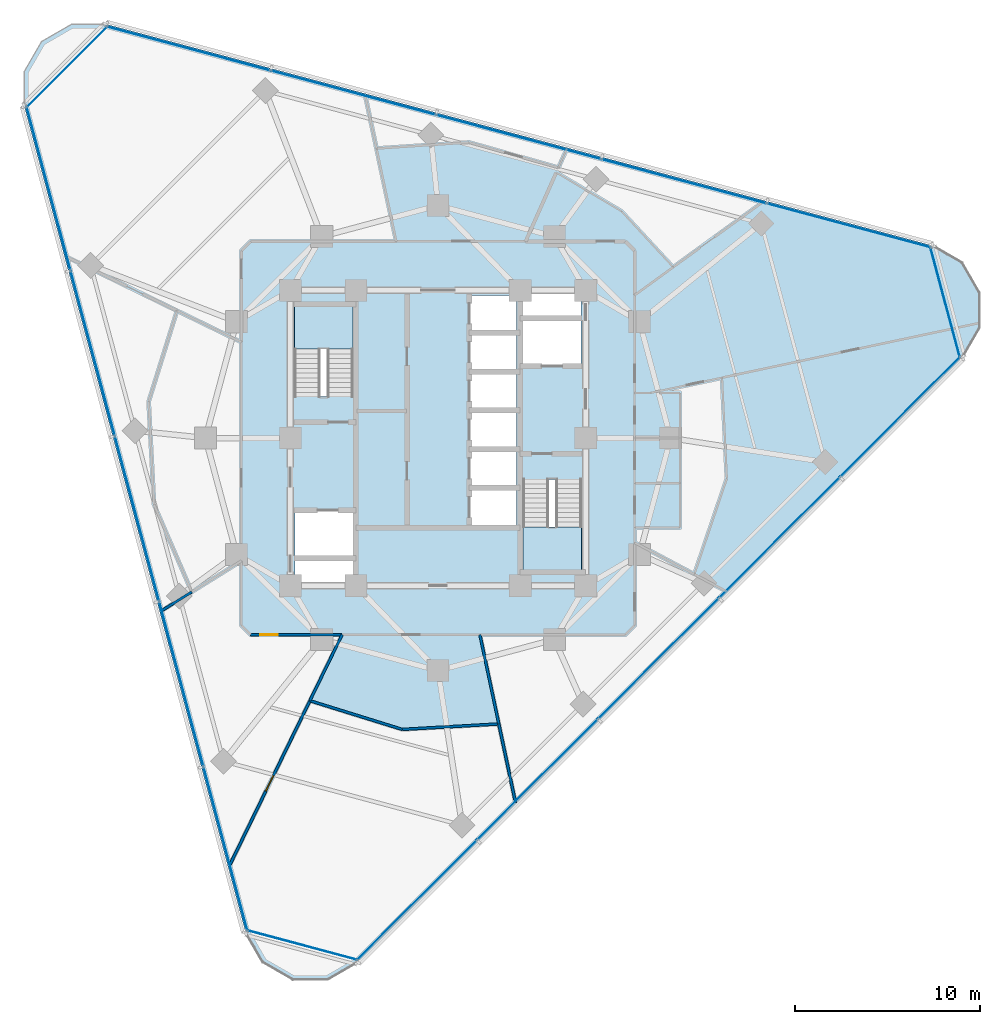
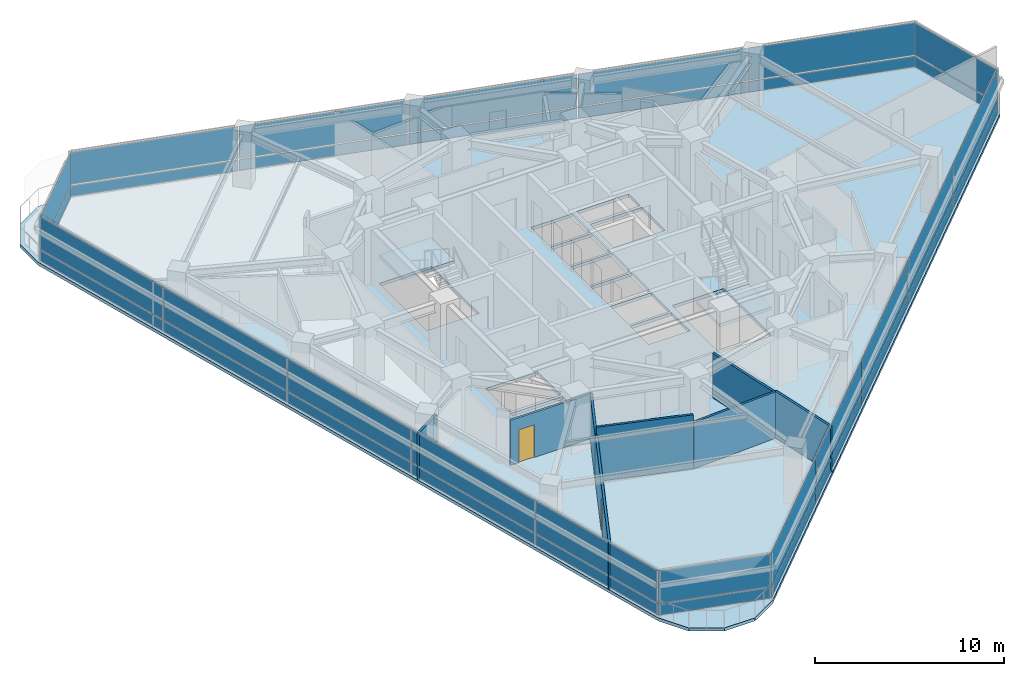
# One storey, part 6 of 14: 36 plates, 8 walls, 3 slabs, 2 doors, 2 openings, 8 elements without a shape of their own.
"""IFC4 building model written with IfcOpenShell, lengths in metres."""

from ifc_helpers import new_model, si_unit, direction, frame, frame_2d, origin, origin_2d, place, context, subcontext, project, spatial, polyline, rectangle, outline, extrude, material, layer, layer_set, type_object, element, fill, aggregate, save


model = new_model("IFC4")

# Units and contexts
model_context = context("Model", 3, precision=1e-05, world=origin(), true_north=direction((0.0, 1.0)))
body_context = subcontext(model_context, "Body", "Model", "MODEL_VIEW")
ifc_project = project(units=[si_unit("LENGTHUNIT", "METRE"), si_unit("AREAUNIT", "SQUARE_METRE"), si_unit("VOLUMEUNIT", "CUBIC_METRE"), si_unit("PLANEANGLEUNIT", "RADIAN"), si_unit("MASSUNIT", "GRAM", prefix="KILO")], contexts=[model_context])

# Site, building, storey
site_placement = place(None, origin())
site = spatial("IfcSite", under=ifc_project, at=site_placement, CompositionType="ELEMENT")
building_placement = place(site_placement, origin())
building = spatial("IfcBuilding", under=site, at=building_placement, Name="Terralouvre Media Tower", CompositionType="ELEMENT")
storey_placement = place(building_placement, frame((0.0, 0.0, 184.199951171875)))
storey = spatial("IfcBuildingStorey", under=building, at=storey_placement, Name="L47", CompositionType="ELEMENT", Elevation=184.199951171875)

# Slab
ifc_material_1 = material(Name="Concrete C40/50", Category="concrete")
ifc_layer_1 = layer(ifc_material_1, 0.199951171875, Name="Composite Tower Floor Slab S-TYP200")
ifc_layer_set_1 = layer_set([ifc_layer_1], Name="Concrete C40/50")
slab_type_1 = type_object("IfcSlabType", Name="Composite Tower Floor Slab S-TYP200", PredefinedType="FLOOR", material=ifc_layer_set_1)
slab_1_placement = place(storey_placement, frame((0.0, 0.0, -0.199951171875), z_axis=(0.0, 0.0, 1.0), x_axis=(0.707106781187, 0.707106781187, 0.0)))
element("IfcSlab", 1, at=slab_1_placement, inside=storey, type_object=slab_type_1, Name="L47 Structural Floor Slab", PredefinedType="FLOOR", context=body_context, shape_type="SweptSolid", body=[
    extrude(outline(polyline([(-26.31494140625, -11.572998046875), (-26.800048828125, -13.383056640625), (-26.31494140625, -15.19287109375), (-24.989990234375, -16.51806640625), (-23.179931640625, -17.0029296875), (23.179931640625, -17.0029296875), (24.989990234375, -16.51806640625), (26.31494140625, -15.19287109375), (26.800048828125, -13.383056640625), (26.31494140625, -11.572998046875), (3.135009765625, 28.575927734375), (1.81005859375, 29.90087890625), (0.0, 30.385986328125), (-1.81005859375, 29.90087890625), (-3.135009765625, 28.575927734375), (-26.31494140625, -11.572998046875)]), holes=[polyline([(-7.919677734375, -1.414306640625), (-8.76806640625, -2.2626953125), (-10.99560546875, -0.035400390625), (-10.14697265625, 0.813232421875), (-7.919677734375, -1.414306640625)]), polyline([(-7.778076171875, -1.272705078125), (-10.005615234375, 0.95458984375), (-8.273193359375, 2.68701171875), (-6.045654296875, 0.459716796875), (-7.778076171875, -1.272705078125)]), polyline([(4.122314453125, -1.887939453125), (2.354736328125, -0.1201171875), (3.7265625, 1.25146484375), (5.494140625, -0.51611328125), (4.122314453125, -1.887939453125)]), polyline([(6.979248046875, 0.96875), (5.607421875, -0.403076171875), (3.839599609375, 1.36474609375), (5.21142578125, 2.736572265625), (6.979248046875, 0.96875)]), polyline([(-1.665283203125, 4.840087890625), (-3.913818359375, 7.0888671875), (-0.36767578125, 10.634765625), (1.880859375, 8.38623046875), (-1.665283203125, 4.840087890625)]), polyline([(7.09228515625, 1.081787109375), (5.324462890625, 2.849609375), (6.6962890625, 4.221435546875), (8.464111328125, 2.45361328125), (7.09228515625, 1.081787109375)]), polyline([(-1.880859375, -8.38623046875), (1.665283203125, -4.840087890625), (3.913818359375, -7.0888671875), (0.36767578125, -10.634765625), (-1.880859375, -8.38623046875)]), polyline([(-0.332275390625, -6.3427734375), (-2.10009765625, -4.574951171875), (-0.728271484375, -3.203125), (1.03955078125, -4.970947265625), (-0.332275390625, -6.3427734375)]), polyline([(1.152587890625, -4.85791015625), (-0.615234375, -3.090087890625), (0.756591796875, -1.71826171875), (2.5244140625, -3.486083984375), (1.152587890625, -4.85791015625)]), polyline([(4.00927734375, -2.001220703125), (2.637451171875, -3.372802734375), (0.86962890625, -1.605224609375), (2.241455078125, -0.2333984375), (4.00927734375, -2.001220703125)]), polyline([(8.273193359375, -2.68701171875), (6.045654296875, -0.459716796875), (7.778076171875, 1.272705078125), (10.005615234375, -0.95458984375), (8.273193359375, -2.68701171875)]), polyline([(10.14697265625, -0.813232421875), (7.919677734375, 1.414306640625), (8.76806640625, 2.2626953125), (10.99560546875, 0.035400390625), (10.14697265625, -0.813232421875)])]), origin(), (0.0, 0.0, 1.0), 0.199951171875),
])

# Stair, slab
ifc_material_2 = material(Name="Concrete C45/55", Category="concrete")
stair_type_1 = type_object("IfcStairType", Name="Dogleg Stair Assembly ST-01", PredefinedType="HALF_TURN_STAIR", material=ifc_material_2)
stair_1_placement = place(storey_placement, origin())
stair_1 = element("IfcStair", 2, at=stair_1_placement, inside=storey, type_object=stair_type_1, Name="L47 Core Pressurised Exit Stair ST-01", PredefinedType="HALF_TURN_STAIR")
ifc_material_3 = material(Name="Concrete C45/55", Category="concrete")
ifc_layer_2 = layer(ifc_material_3, 0.199951171875, Name="Reinforced Concrete Stair Half-Landing SL-LD1")
ifc_layer_set_2 = layer_set([ifc_layer_2], Name="Concrete C45/55")
slab_type_2 = type_object("IfcSlabType", Name="Reinforced Concrete Stair Half-Landing SL-LD1", PredefinedType="LANDING", material=ifc_layer_set_2)
slab_2_placement = place(storey_placement, frame((0.0, 0.0, 1.650146484375)))
slab_2 = element("IfcSlab", 3, at=slab_2_placement, type_object=slab_type_2, Name="ST-01 landing 1", PredefinedType="LANDING", context=body_context, shape_type="SweptSolid", body=[
    extrude(outline(polyline([(-4.60009765625, 4.820068359375), (-4.60009765625, 7.260009765625), (-7.780029296875, 7.260009765625), (-7.780029296875, 4.820068359375), (-4.60009765625, 4.820068359375)])), origin(), (0.0, 0.0, 1.0), 0.199951171875),
])
aggregate(stair_1, [slab_2])

ifc_material_4 = material(Name="Concrete C45/55", Category="concrete")
stair_type_2 = type_object("IfcStairType", Name="Dogleg Stair Assembly ST-02", PredefinedType="HALF_TURN_STAIR", material=ifc_material_4)
stair_2_placement = place(storey_placement, origin())
stair_2 = element("IfcStair", 4, at=stair_2_placement, inside=storey, type_object=stair_type_2, Name="L47 Core Pressurised Exit Stair ST-02", PredefinedType="HALF_TURN_STAIR")
slab_3_placement = place(storey_placement, frame((0.0, 0.0, 1.650146484375)))
slab_3 = element("IfcSlab", 5, at=slab_3_placement, type_object=slab_type_2, Name="ST-02 landing 1", PredefinedType="LANDING", context=body_context, shape_type="SweptSolid", body=[
    extrude(outline(polyline([(4.60009765625, -4.820068359375), (4.60009765625, -7.260009765625), (7.780029296875, -7.260009765625), (7.780029296875, -4.820068359375), (4.60009765625, -4.820068359375)])), origin(), (0.0, 0.0, 1.0), 0.199951171875),
])
aggregate(stair_2, [slab_3])

# Curtain wall, plates
ifc_material_5 = material(Name="Low-iron laminated double glazing with solar-control coating", Category="glass")
ifc_layer_3 = layer(ifc_material_5, 0.1650390625, Name="Rounded Wind-Corner Curved Glazing CW-04")
ifc_layer_set_3 = layer_set([ifc_layer_3], Name="Low-iron laminated double glazing with solar-control coating")
curtain_wall_type_1 = type_object("IfcCurtainWallType", Name="Rounded Wind-Corner Curved Glazing CW-04", PredefinedType="NOTDEFINED", material=ifc_layer_set_3)
curtain_wall_1_placement = place(storey_placement, origin())
curtain_wall_1 = element("IfcCurtainWall", 6, at=curtain_wall_1_placement, inside=storey, type_object=curtain_wall_type_1, Name="L47 Rounded Wind-Corner Curtain Wall C0", PredefinedType="NOTDEFINED")
ifc_material_6 = material(Name="Low-iron laminated double glazing with solar-control coating", Category="glass")
ifc_layer_4 = layer(ifc_material_6, 0.0400390625, Name="Rounded Corner Laminated Vision Panel CWP-03")
ifc_layer_set_4 = layer_set([ifc_layer_4], Name="Low-iron laminated double glazing with solar-control coating")
plate_type_1 = type_object("IfcPlateType", Name="Rounded Corner Laminated Vision Panel CWP-03", PredefinedType="CURTAIN_PANEL", material=ifc_layer_set_4)
plate_1_placement = place(storey_placement, frame((-7.35986328125, -27.467041015625, 0.074951171875), z_axis=(0.0, 0.0, 1.0), x_axis=(0.965925911218, -0.258818728144, 0.0)))
plate_1 = element("IfcPlate", 7, at=plate_1_placement, type_object=plate_type_1, Name="CW-04 panel 1.1", PredefinedType="CURTAIN_PANEL", context=body_context, shape_type="SweptSolid", body=[
    extrude(rectangle(XDim=6.1201171875, YDim=0.035888671875, at=origin_2d()), origin(), (0.0, 0.0, 1.0), 0.6875),
])
plate_2_placement = place(storey_placement, frame((-7.35986328125, -27.467041015625, 0.837646484375), z_axis=(0.0, 0.0, 1.0), x_axis=(0.965925911218, -0.258818728144, 0.0)))
plate_2 = element("IfcPlate", 8, at=plate_2_placement, type_object=plate_type_1, Name="CW-04 panel 1.2", PredefinedType="CURTAIN_PANEL", context=body_context, shape_type="SweptSolid", body=[
    extrude(rectangle(XDim=6.1201171875, YDim=0.035888671875, at=origin_2d()), origin(), (0.0, 0.0, 1.0), 2.08740234375),
])
aggregate(curtain_wall_1, [plate_1, plate_2])

curtain_wall_2_placement = place(storey_placement, origin())
curtain_wall_2 = element("IfcCurtainWall", 9, at=curtain_wall_2_placement, inside=storey, type_object=curtain_wall_type_1, Name="L47 Rounded Wind-Corner Curtain Wall C1", PredefinedType="NOTDEFINED")
plate_3_placement = place(storey_placement, frame((27.467041015625, 7.35986328125, 0.074951171875), z_axis=(0.0, 0.0, 1.0), x_axis=(-0.258818728144, 0.965925911218, 0.0)))
plate_3 = element("IfcPlate", 10, at=plate_3_placement, type_object=plate_type_1, Name="CW-04 panel 1.1", PredefinedType="CURTAIN_PANEL", context=body_context, shape_type="SweptSolid", body=[
    extrude(rectangle(XDim=6.1201171875, YDim=0.035888671875, at=origin_2d()), origin(), (0.0, 0.0, 1.0), 0.6875),
])
plate_4_placement = place(storey_placement, frame((27.467041015625, 7.35986328125, 0.837646484375), z_axis=(0.0, 0.0, 1.0), x_axis=(-0.258818728144, 0.965925911218, 0.0)))
plate_4 = element("IfcPlate", 11, at=plate_4_placement, type_object=plate_type_1, Name="CW-04 panel 1.2", PredefinedType="CURTAIN_PANEL", context=body_context, shape_type="SweptSolid", body=[
    extrude(rectangle(XDim=6.1201171875, YDim=0.035888671875, at=origin_2d()), origin(), (0.0, 0.0, 1.0), 2.08740234375),
])
aggregate(curtain_wall_2, [plate_3, plate_4])

curtain_wall_3_placement = place(storey_placement, origin())
curtain_wall_3 = element("IfcCurtainWall", 12, at=curtain_wall_3_placement, inside=storey, type_object=curtain_wall_type_1, Name="L47 Rounded Wind-Corner Curtain Wall C2", PredefinedType="NOTDEFINED")
plate_5_placement = place(storey_placement, frame((-20.107177734375, 20.107177734375, 0.074951171875), z_axis=(0.0, 0.0, 1.0), x_axis=(-0.707106781187, -0.707106781187, 0.0)))
plate_5 = element("IfcPlate", 13, at=plate_5_placement, type_object=plate_type_1, Name="CW-04 panel 1.1", PredefinedType="CURTAIN_PANEL", context=body_context, shape_type="SweptSolid", body=[
    extrude(rectangle(XDim=6.1201171875, YDim=0.035888671875, at=origin_2d()), origin(), (0.0, 0.0, 1.0), 0.6875),
])
plate_6_placement = place(storey_placement, frame((-20.107177734375, 20.107177734375, 0.837646484375), z_axis=(0.0, 0.0, 1.0), x_axis=(-0.707106781187, -0.707106781187, 0.0)))
plate_6 = element("IfcPlate", 14, at=plate_6_placement, type_object=plate_type_1, Name="CW-04 panel 1.2", PredefinedType="CURTAIN_PANEL", context=body_context, shape_type="SweptSolid", body=[
    extrude(rectangle(XDim=6.1201171875, YDim=0.035888671875, at=origin_2d()), origin(), (0.0, 0.0, 1.0), 2.08740234375),
])
aggregate(curtain_wall_3, [plate_5, plate_6])

ifc_material_7 = material(Name="Low-iron laminated double glazing with solar-control coating", Category="glass")
ifc_layer_5 = layer(ifc_material_7, 0.1650390625, Name="Production Studio Tower Curtain Wall CW-03")
ifc_layer_set_5 = layer_set([ifc_layer_5], Name="Low-iron laminated double glazing with solar-control coating")
curtain_wall_type_2 = type_object("IfcCurtainWallType", Name="Production Studio Tower Curtain Wall CW-03", PredefinedType="NOTDEFINED", material=ifc_layer_set_5)
curtain_wall_4_placement = place(storey_placement, origin())
curtain_wall_4 = element("IfcCurtainWall", 15, at=curtain_wall_4_placement, inside=storey, type_object=curtain_wall_type_2, Name="L47 Facade Curtain Wall F0", PredefinedType="NOTDEFINED")
ifc_material_8 = material(Name="Low-iron laminated double glazing with solar-control coating", Category="glass")
ifc_layer_6 = layer(ifc_material_8, 0.035888671875, Name="Vision Double-Glazed Unit CWP-01")
ifc_layer_set_6 = layer_set([ifc_layer_6], Name="Low-iron laminated double glazing with solar-control coating")
plate_type_2 = type_object("IfcPlateType", Name="Vision Double-Glazed Unit CWP-01", PredefinedType="CURTAIN_PANEL", material=ifc_layer_set_6)
plate_7_placement = place(storey_placement, frame((-1.161376953125, -25.037353515625, 0.074951171875), z_axis=(0.0, 0.0, 1.0), x_axis=(0.707106781187, 0.707106781187, 0.0)))
plate_7 = element("IfcPlate", 16, at=plate_7_placement, type_object=plate_type_2, Name="CW-03 panel 1.1", PredefinedType="CURTAIN_PANEL", context=body_context, shape_type="SweptSolid", body=[
    extrude(rectangle(XDim=9.159423828125, YDim=0.035888671875, at=origin_2d()), origin(), (0.0, 0.0, 1.0), 0.6875),
])
plate_8_placement = place(storey_placement, frame((-1.161376953125, -25.037353515625, 0.837646484375), z_axis=(0.0, 0.0, 1.0), x_axis=(0.707106781187, 0.707106781187, 0.0)))
plate_8 = element("IfcPlate", 17, at=plate_8_placement, type_object=plate_type_2, Name="CW-03 panel 1.2", PredefinedType="CURTAIN_PANEL", context=body_context, shape_type="SweptSolid", body=[
    extrude(rectangle(XDim=9.159423828125, YDim=0.035888671875, at=origin_2d()), origin(), (0.0, 0.0, 1.0), 2.08740234375),
])
plate_9_placement = place(storey_placement, frame((5.3818359375, -18.494384765625, 0.074951171875), z_axis=(0.0, 0.0, 1.0), x_axis=(0.707106781187, 0.707106781187, 0.0)))
plate_9 = element("IfcPlate", 18, at=plate_9_placement, type_object=plate_type_2, Name="CW-03 panel 2.1", PredefinedType="CURTAIN_PANEL", context=body_context, shape_type="SweptSolid", body=[
    extrude(rectangle(XDim=9.197021484375, YDim=0.035888671875, at=origin_2d()), origin(), (0.0, 0.0, 1.0), 0.6875),
])
plate_10_placement = place(storey_placement, frame((5.3818359375, -18.494384765625, 0.837646484375), z_axis=(0.0, 0.0, 1.0), x_axis=(0.707106781187, 0.707106781187, 0.0)))
plate_10 = element("IfcPlate", 19, at=plate_10_placement, type_object=plate_type_2, Name="CW-03 panel 2.2", PredefinedType="CURTAIN_PANEL", context=body_context, shape_type="SweptSolid", body=[
    extrude(rectangle(XDim=9.197021484375, YDim=0.035888671875, at=origin_2d()), origin(), (0.0, 0.0, 1.0), 2.08740234375),
])
plate_11_placement = place(storey_placement, frame((11.93798828125, -11.93798828125, 0.074951171875), z_axis=(0.0, 0.0, 1.0), x_axis=(0.707106781187, 0.707106781187, 0.0)))
plate_11 = element("IfcPlate", 20, at=plate_11_placement, type_object=plate_type_2, Name="CW-03 panel 3.1", PredefinedType="CURTAIN_PANEL", context=body_context, shape_type="SweptSolid", body=[
    extrude(rectangle(XDim=9.197021484375, YDim=0.035888671875, at=origin_2d()), origin(), (0.0, 0.0, 1.0), 0.6875),
])
plate_12_placement = place(storey_placement, frame((11.93798828125, -11.93798828125, 0.837646484375), z_axis=(0.0, 0.0, 1.0), x_axis=(0.707106781187, 0.707106781187, 0.0)))
plate_12 = element("IfcPlate", 21, at=plate_12_placement, type_object=plate_type_2, Name="CW-03 panel 3.2", PredefinedType="CURTAIN_PANEL", context=body_context, shape_type="SweptSolid", body=[
    extrude(rectangle(XDim=9.197021484375, YDim=0.035888671875, at=origin_2d()), origin(), (0.0, 0.0, 1.0), 2.08740234375),
])
plate_13_placement = place(storey_placement, frame((18.494384765625, -5.3818359375, 0.074951171875), z_axis=(0.0, 0.0, 1.0), x_axis=(0.707106781187, 0.707106781187, 0.0)))
plate_13 = element("IfcPlate", 22, at=plate_13_placement, type_object=plate_type_2, Name="CW-03 panel 4.1", PredefinedType="CURTAIN_PANEL", context=body_context, shape_type="SweptSolid", body=[
    extrude(rectangle(XDim=9.197021484375, YDim=0.035888671875, at=origin_2d()), origin(), (0.0, 0.0, 1.0), 0.6875),
])
plate_14_placement = place(storey_placement, frame((18.494384765625, -5.3818359375, 0.837646484375), z_axis=(0.0, 0.0, 1.0), x_axis=(0.707106781187, 0.707106781187, 0.0)))
plate_14 = element("IfcPlate", 23, at=plate_14_placement, type_object=plate_type_2, Name="CW-03 panel 4.2", PredefinedType="CURTAIN_PANEL", context=body_context, shape_type="SweptSolid", body=[
    extrude(rectangle(XDim=9.197021484375, YDim=0.035888671875, at=origin_2d()), origin(), (0.0, 0.0, 1.0), 2.08740234375),
])
plate_15_placement = place(storey_placement, frame((25.037353515625, 1.161376953125, 0.074951171875), z_axis=(0.0, 0.0, 1.0), x_axis=(0.707106781187, 0.707106781187, 0.0)))
plate_15 = element("IfcPlate", 24, at=plate_15_placement, type_object=plate_type_2, Name="CW-03 panel 5.1", PredefinedType="CURTAIN_PANEL", context=body_context, shape_type="SweptSolid", body=[
    extrude(rectangle(XDim=9.159423828125, YDim=0.035888671875, at=origin_2d()), origin(), (0.0, 0.0, 1.0), 0.6875),
])
plate_16_placement = place(storey_placement, frame((25.037353515625, 1.161376953125, 0.837646484375), z_axis=(0.0, 0.0, 1.0), x_axis=(0.707106781187, 0.707106781187, 0.0)))
plate_16 = element("IfcPlate", 25, at=plate_16_placement, type_object=plate_type_2, Name="CW-03 panel 5.2", PredefinedType="CURTAIN_PANEL", context=body_context, shape_type="SweptSolid", body=[
    extrude(rectangle(XDim=9.159423828125, YDim=0.035888671875, at=origin_2d()), origin(), (0.0, 0.0, 1.0), 2.08740234375),
])
aggregate(curtain_wall_4, [plate_7, plate_8, plate_9, plate_10, plate_11, plate_12, plate_13, plate_14, plate_15, plate_16])

curtain_wall_5_placement = place(storey_placement, origin())
curtain_wall_5 = element("IfcCurtainWall", 26, at=curtain_wall_5_placement, inside=storey, type_object=curtain_wall_type_2, Name="L47 Facade Curtain Wall F1", PredefinedType="NOTDEFINED")
plate_17_placement = place(storey_placement, frame((22.263671875, 11.512939453125, 0.074951171875), z_axis=(0.0, 0.0, 1.0), x_axis=(-0.96592582942, 0.25881903342, 0.0)))
plate_17 = element("IfcPlate", 27, at=plate_17_placement, type_object=plate_type_2, Name="CW-03 panel 1.1", PredefinedType="CURTAIN_PANEL", context=body_context, shape_type="SweptSolid", body=[
    extrude(rectangle(XDim=9.159423828125, YDim=0.035888671875, at=origin_2d()), origin(), (0.0, 0.0, 1.0), 0.6875),
])
plate_18_placement = place(storey_placement, frame((22.263671875, 11.512939453125, 0.837646484375), z_axis=(0.0, 0.0, 1.0), x_axis=(-0.96592582942, 0.25881903342, 0.0)))
plate_18 = element("IfcPlate", 28, at=plate_18_placement, type_object=plate_type_2, Name="CW-03 panel 1.2", PredefinedType="CURTAIN_PANEL", context=body_context, shape_type="SweptSolid", body=[
    extrude(rectangle(XDim=9.159423828125, YDim=0.035888671875, at=origin_2d()), origin(), (0.0, 0.0, 1.0), 2.08740234375),
])
plate_19_placement = place(storey_placement, frame((13.32568359375, 13.907958984375, 0.074951171875), z_axis=(0.0, 0.0, 1.0), x_axis=(-0.96592582942, 0.25881903342, 0.0)))
plate_19 = element("IfcPlate", 29, at=plate_19_placement, type_object=plate_type_2, Name="CW-03 panel 2.1", PredefinedType="CURTAIN_PANEL", context=body_context, shape_type="SweptSolid", body=[
    extrude(rectangle(XDim=9.197021484375, YDim=0.035888671875, at=origin_2d()), origin(), (0.0, 0.0, 1.0), 0.6875),
])
plate_20_placement = place(storey_placement, frame((13.32568359375, 13.907958984375, 0.837646484375), z_axis=(0.0, 0.0, 1.0), x_axis=(-0.96592582942, 0.25881903342, 0.0)))
plate_20 = element("IfcPlate", 30, at=plate_20_placement, type_object=plate_type_2, Name="CW-03 panel 2.2", PredefinedType="CURTAIN_PANEL", context=body_context, shape_type="SweptSolid", body=[
    extrude(rectangle(XDim=9.197021484375, YDim=0.035888671875, at=origin_2d()), origin(), (0.0, 0.0, 1.0), 2.08740234375),
])
plate_21_placement = place(storey_placement, frame((4.36962890625, 16.3076171875, 0.074951171875), z_axis=(0.0, 0.0, 1.0), x_axis=(-0.96592582942, 0.25881903342, 0.0)))
plate_21 = element("IfcPlate", 31, at=plate_21_placement, type_object=plate_type_2, Name="CW-03 panel 3.1", PredefinedType="CURTAIN_PANEL", context=body_context, shape_type="SweptSolid", body=[
    extrude(rectangle(XDim=9.197021484375, YDim=0.035888671875, at=origin_2d()), origin(), (0.0, 0.0, 1.0), 0.6875),
])
plate_22_placement = place(storey_placement, frame((4.36962890625, 16.3076171875, 0.837646484375), z_axis=(0.0, 0.0, 1.0), x_axis=(-0.96592582942, 0.25881903342, 0.0)))
plate_22 = element("IfcPlate", 32, at=plate_22_placement, type_object=plate_type_2, Name="CW-03 panel 3.2", PredefinedType="CURTAIN_PANEL", context=body_context, shape_type="SweptSolid", body=[
    extrude(rectangle(XDim=9.197021484375, YDim=0.035888671875, at=origin_2d()), origin(), (0.0, 0.0, 1.0), 2.08740234375),
])
plate_23_placement = place(storey_placement, frame((-4.58642578125, 18.70751953125, 0.074951171875), z_axis=(0.0, 0.0, 1.0), x_axis=(-0.96592582942, 0.25881903342, 0.0)))
plate_23 = element("IfcPlate", 33, at=plate_23_placement, type_object=plate_type_2, Name="CW-03 panel 4.1", PredefinedType="CURTAIN_PANEL", context=body_context, shape_type="SweptSolid", body=[
    extrude(rectangle(XDim=9.197021484375, YDim=0.035888671875, at=origin_2d()), origin(), (0.0, 0.0, 1.0), 0.6875),
])
plate_24_placement = place(storey_placement, frame((-4.58642578125, 18.70751953125, 0.837646484375), z_axis=(0.0, 0.0, 1.0), x_axis=(-0.96592582942, 0.25881903342, 0.0)))
plate_24 = element("IfcPlate", 34, at=plate_24_placement, type_object=plate_type_2, Name="CW-03 panel 4.2", PredefinedType="CURTAIN_PANEL", context=body_context, shape_type="SweptSolid", body=[
    extrude(rectangle(XDim=9.197021484375, YDim=0.035888671875, at=origin_2d()), origin(), (0.0, 0.0, 1.0), 2.08740234375),
])
plate_25_placement = place(storey_placement, frame((-13.5244140625, 21.102294921875, 0.074951171875), z_axis=(0.0, 0.0, 1.0), x_axis=(-0.96592582942, 0.25881903342, 0.0)))
plate_25 = element("IfcPlate", 35, at=plate_25_placement, type_object=plate_type_2, Name="CW-03 panel 5.1", PredefinedType="CURTAIN_PANEL", context=body_context, shape_type="SweptSolid", body=[
    extrude(rectangle(XDim=9.159423828125, YDim=0.035888671875, at=origin_2d()), origin(), (0.0, 0.0, 1.0), 0.6875),
])
plate_26_placement = place(storey_placement, frame((-13.5244140625, 21.102294921875, 0.837646484375), z_axis=(0.0, 0.0, 1.0), x_axis=(-0.96592582942, 0.25881903342, 0.0)))
plate_26 = element("IfcPlate", 36, at=plate_26_placement, type_object=plate_type_2, Name="CW-03 panel 5.2", PredefinedType="CURTAIN_PANEL", context=body_context, shape_type="SweptSolid", body=[
    extrude(rectangle(XDim=9.159423828125, YDim=0.035888671875, at=origin_2d()), origin(), (0.0, 0.0, 1.0), 2.08740234375),
])
aggregate(curtain_wall_5, [plate_17, plate_18, plate_19, plate_20, plate_21, plate_22, plate_23, plate_24, plate_25, plate_26])

curtain_wall_6_placement = place(storey_placement, origin())
curtain_wall_6 = element("IfcCurtainWall", 37, at=curtain_wall_6_placement, inside=storey, type_object=curtain_wall_type_2, Name="L47 Facade Curtain Wall F2", PredefinedType="NOTDEFINED")
plate_27_placement = place(storey_placement, frame((-21.102294921875, 13.5244140625, 0.074951171875), z_axis=(0.0, 0.0, 1.0), x_axis=(0.25881903342, -0.96592582942, 0.0)))
plate_27 = element("IfcPlate", 38, at=plate_27_placement, type_object=plate_type_2, Name="CW-03 panel 1.1", PredefinedType="CURTAIN_PANEL", context=body_context, shape_type="SweptSolid", body=[
    extrude(rectangle(XDim=9.159423828125, YDim=0.035888671875, at=origin_2d()), origin(), (0.0, 0.0, 1.0), 0.6875),
])
plate_28_placement = place(storey_placement, frame((-21.102294921875, 13.5244140625, 0.837646484375), z_axis=(0.0, 0.0, 1.0), x_axis=(0.25881903342, -0.96592582942, 0.0)))
plate_28 = element("IfcPlate", 39, at=plate_28_placement, type_object=plate_type_2, Name="CW-03 panel 1.2", PredefinedType="CURTAIN_PANEL", context=body_context, shape_type="SweptSolid", body=[
    extrude(rectangle(XDim=9.159423828125, YDim=0.035888671875, at=origin_2d()), origin(), (0.0, 0.0, 1.0), 2.08740234375),
])
plate_29_placement = place(storey_placement, frame((-18.70751953125, 4.58642578125, 0.074951171875), z_axis=(0.0, 0.0, 1.0), x_axis=(0.25881903342, -0.96592582942, 0.0)))
plate_29 = element("IfcPlate", 40, at=plate_29_placement, type_object=plate_type_2, Name="CW-03 panel 2.1", PredefinedType="CURTAIN_PANEL", context=body_context, shape_type="SweptSolid", body=[
    extrude(rectangle(XDim=9.197021484375, YDim=0.035888671875, at=origin_2d()), origin(), (0.0, 0.0, 1.0), 0.6875),
])
plate_30_placement = place(storey_placement, frame((-18.70751953125, 4.58642578125, 0.837646484375), z_axis=(0.0, 0.0, 1.0), x_axis=(0.25881903342, -0.96592582942, 0.0)))
plate_30 = element("IfcPlate", 41, at=plate_30_placement, type_object=plate_type_2, Name="CW-03 panel 2.2", PredefinedType="CURTAIN_PANEL", context=body_context, shape_type="SweptSolid", body=[
    extrude(rectangle(XDim=9.197021484375, YDim=0.035888671875, at=origin_2d()), origin(), (0.0, 0.0, 1.0), 2.08740234375),
])
plate_31_placement = place(storey_placement, frame((-16.3076171875, -4.36962890625, 0.074951171875), z_axis=(0.0, 0.0, 1.0), x_axis=(0.25881903342, -0.96592582942, 0.0)))
plate_31 = element("IfcPlate", 42, at=plate_31_placement, type_object=plate_type_2, Name="CW-03 panel 3.1", PredefinedType="CURTAIN_PANEL", context=body_context, shape_type="SweptSolid", body=[
    extrude(rectangle(XDim=9.197021484375, YDim=0.035888671875, at=origin_2d()), origin(), (0.0, 0.0, 1.0), 0.6875),
])
plate_32_placement = place(storey_placement, frame((-16.3076171875, -4.36962890625, 0.837646484375), z_axis=(0.0, 0.0, 1.0), x_axis=(0.25881903342, -0.96592582942, 0.0)))
plate_32 = element("IfcPlate", 43, at=plate_32_placement, type_object=plate_type_2, Name="CW-03 panel 3.2", PredefinedType="CURTAIN_PANEL", context=body_context, shape_type="SweptSolid", body=[
    extrude(rectangle(XDim=9.197021484375, YDim=0.035888671875, at=origin_2d()), origin(), (0.0, 0.0, 1.0), 2.08740234375),
])
plate_33_placement = place(storey_placement, frame((-13.907958984375, -13.32568359375, 0.074951171875), z_axis=(0.0, 0.0, 1.0), x_axis=(0.25881903342, -0.96592582942, 0.0)))
plate_33 = element("IfcPlate", 44, at=plate_33_placement, type_object=plate_type_2, Name="CW-03 panel 4.1", PredefinedType="CURTAIN_PANEL", context=body_context, shape_type="SweptSolid", body=[
    extrude(rectangle(XDim=9.197021484375, YDim=0.035888671875, at=origin_2d()), origin(), (0.0, 0.0, 1.0), 0.6875),
])
plate_34_placement = place(storey_placement, frame((-13.907958984375, -13.32568359375, 0.837646484375), z_axis=(0.0, 0.0, 1.0), x_axis=(0.25881903342, -0.96592582942, 0.0)))
plate_34 = element("IfcPlate", 45, at=plate_34_placement, type_object=plate_type_2, Name="CW-03 panel 4.2", PredefinedType="CURTAIN_PANEL", context=body_context, shape_type="SweptSolid", body=[
    extrude(rectangle(XDim=9.197021484375, YDim=0.035888671875, at=origin_2d()), origin(), (0.0, 0.0, 1.0), 2.08740234375),
])
plate_35_placement = place(storey_placement, frame((-11.512939453125, -22.263671875, 0.074951171875), z_axis=(0.0, 0.0, 1.0), x_axis=(0.25881903342, -0.96592582942, 0.0)))
plate_35 = element("IfcPlate", 46, at=plate_35_placement, type_object=plate_type_2, Name="CW-03 panel 5.1", PredefinedType="CURTAIN_PANEL", context=body_context, shape_type="SweptSolid", body=[
    extrude(rectangle(XDim=9.159423828125, YDim=0.035888671875, at=origin_2d()), origin(), (0.0, 0.0, 1.0), 0.6875),
])
plate_36_placement = place(storey_placement, frame((-11.512939453125, -22.263671875, 0.837646484375), z_axis=(0.0, 0.0, 1.0), x_axis=(0.25881903342, -0.96592582942, 0.0)))
plate_36 = element("IfcPlate", 47, at=plate_36_placement, type_object=plate_type_2, Name="CW-03 panel 5.2", PredefinedType="CURTAIN_PANEL", context=body_context, shape_type="SweptSolid", body=[
    extrude(rectangle(XDim=9.159423828125, YDim=0.035888671875, at=origin_2d()), origin(), (0.0, 0.0, 1.0), 2.08740234375),
])
aggregate(curtain_wall_6, [plate_27, plate_28, plate_29, plate_30, plate_31, plate_32, plate_33, plate_34, plate_35, plate_36])

# Wall, opening, door
ifc_material_9 = material(Name="Fire-rated gypsum board drywall partition")
ifc_layer_7 = layer(ifc_material_9, 0.135009765625, Name="Newsroom Acoustic Partition PT-135")
ifc_layer_set_7 = layer_set([ifc_layer_7], Name="Fire-rated gypsum board drywall partition")
wall_type = type_object("IfcWallType", Name="Newsroom Acoustic Partition PT-135", PredefinedType="PARTITIONING", material=ifc_layer_set_7)
wall_1_placement = place(storey_placement, frame((-10.14990234375, -10.64990234375, 0.0), z_axis=(0.0, 0.0, 1.0), x_axis=(1.0, 0.0, 0.0)))
wall_1 = element("IfcWall", 48, at=wall_1_placement, inside=storey, type_object=wall_type, Name="L47 Interior Partition 004", PredefinedType="PARTITIONING", context=body_context, shape_type="SweptSolid", body=[
    extrude(rectangle(XDim=4.955810546875, YDim=0.135009765625, at=frame_2d((2.47802734375, 0.0))), origin(), (0.0, 0.0, 1.0), 2.885009765625),
])
opening_1_placement = place(wall_1_placement, frame((0.51611328125, 0.0, 0.0)))
opening_1 = element("IfcOpeningElement", 49, at=opening_1_placement, cuts=wall_1, Name="Opening FD-04-95X210", PredefinedType="OPENING", context=body_context, shape_type="SweptSolid", body=[
    extrude(rectangle(XDim=0.949951171875, YDim=2.10009765625, at=frame_2d((0.47509765625, 1.050048828125))), frame((0.0, 0.077392578125, 0.0), z_axis=(0.0, -1.0, 0.0), x_axis=(1.0, 0.0, 0.0)), (0.0, 0.0, 1.0), 0.155029296875),
])
ifc_material_10 = material(Name="Galvanised steel fire-resisting leaf", Category="steel")
door_type_1 = type_object("IfcDoorType", Name="Core Store and Service Fire Door FD-04 (950x2100)", OperationType="NOTDEFINED", PredefinedType="DOOR", material=ifc_material_10)
door_1_placement = place(opening_1_placement, origin())
door_1 = element("IfcDoor", 50, at=door_1_placement, inside=storey, type_object=door_type_1, Name="L47 Vinyl and Score Music Library 2 Door", OperationType="SINGLE_SWING_LEFT", OverallHeight=2.10009765625, OverallWidth=0.949951171875, PredefinedType="DOOR", context=body_context, shape_type="SweptSolid", body=[
    extrude(rectangle(XDim=0.949951171875, YDim=2.10009765625, at=frame_2d((0.47509765625, 1.050048828125))), frame((0.0, 0.02490234375, 0.0), z_axis=(0.0, -1.0, 0.0), x_axis=(1.0, 0.0, 0.0)), (0.0, 0.0, 1.0), 0.050048828125),
])
fill(opening_1, door_1)

wall_2_placement = place(storey_placement, frame((-11.3076171875, -23.1845703125, 0.0), z_axis=(0.0, 0.0, 1.0), x_axis=(0.438312605606, 0.898822596382, 0.0)))
wall_2 = element("IfcWall", 51, at=wall_2_placement, inside=storey, type_object=wall_type, Name="L47 Interior Partition 026", PredefinedType="PARTITIONING", context=body_context, shape_type="SweptSolid", body=[
    extrude(rectangle(XDim=9.96484375, YDim=0.135009765625, at=frame_2d((4.982421875, 0.0))), origin(), (0.0, 0.0, 1.0), 2.985107421875),
])
opening_2_placement = place(wall_2_placement, frame((4.5224609375, 0.0, 0.0)))
opening_2 = element("IfcOpeningElement", 52, at=opening_2_placement, cuts=wall_2, Name="Opening ID-03-92X210", PredefinedType="OPENING", context=body_context, shape_type="SweptSolid", body=[
    extrude(rectangle(XDim=0.919921875, YDim=2.10009765625, at=frame_2d((0.4599609375, 1.050048828125))), frame((0.0, 0.077392578125, 0.0), z_axis=(0.0, -1.0, 0.0), x_axis=(1.0, 0.0, 0.0)), (0.0, 0.0, 1.0), 0.155029296875),
])
ifc_material_11 = material(Name="Engineered hardwood acoustic timber leaf", Category="wood")
door_type_2 = type_object("IfcDoorType", Name="Accessible Restroom and Suite Door ID-03 (920x2100)", OperationType="NOTDEFINED", PredefinedType="DOOR", material=ifc_material_11)
door_2_placement = place(opening_2_placement, origin())
door_2 = element("IfcDoor", 53, at=door_2_placement, inside=storey, type_object=door_type_2, Name="L47 Podcast Host Green Lounge 3 Door", OperationType="SINGLE_SWING_LEFT", OverallHeight=2.10009765625, OverallWidth=0.919921875, PredefinedType="DOOR", context=body_context, shape_type="SweptSolid", body=[
    extrude(rectangle(XDim=0.919921875, YDim=2.10009765625, at=frame_2d((0.4599609375, 1.050048828125))), frame((0.0, 0.02490234375, 0.0), z_axis=(0.0, -1.0, 0.0), x_axis=(1.0, 0.0, 0.0)), (0.0, 0.0, 1.0), 0.050048828125),
])
fill(opening_2, door_2)

# Walls
wall_3_placement = place(storey_placement, frame((-6.93994140625, -14.22802734375, 0.0), z_axis=(0.0, 0.0, 1.0), x_axis=(0.438509409278, 0.898726598012, 0.0)))
element("IfcWall", 54, at=wall_3_placement, inside=storey, type_object=wall_type, Name="L47 Interior Partition 027", PredefinedType="PARTITIONING", context=body_context, shape_type="SweptSolid", body=[
    extrude(rectangle(XDim=3.9814453125, YDim=0.135009765625, at=frame_2d((1.99072265625, 0.0))), origin(), (0.0, 0.0, 1.0), 2.885009765625),
])
wall_4_placement = place(storey_placement, frame((-13.341064453125, -8.3359375, 0.0), z_axis=(0.0, 0.0, 1.0), x_axis=(-0.848033204961, -0.529943094382, 0.0)))
element("IfcWall", 55, at=wall_4_placement, inside=storey, type_object=wall_type, Name="L47 Interior Partition 028", PredefinedType="PARTITIONING", context=body_context, shape_type="SweptSolid", body=[
    extrude(rectangle(XDim=1.96484375, YDim=0.135009765625, at=frame_2d((0.982421875, 0.0))), origin(), (0.0, 0.0, 1.0), 2.985107421875),
])
wall_5_placement = place(storey_placement, frame((3.291015625, -15.485107421875, 0.0), z_axis=(0.0, 0.0, 1.0), x_axis=(-0.998402738872, -0.056497531026, 0.0)))
element("IfcWall", 56, at=wall_5_placement, inside=storey, type_object=wall_type, Name="L47 Interior Partition 029", PredefinedType="PARTITIONING", context=body_context, shape_type="SweptSolid", body=[
    extrude(rectangle(XDim=5.2373046875, YDim=0.135009765625, at=frame_2d((2.61865234375, 0.0))), origin(), (0.0, 0.0, 1.0), 2.985107421875),
])
wall_6_placement = place(storey_placement, frame((-1.93798828125, -15.781005859375, 0.0), z_axis=(0.0, 0.0, 1.0), x_axis=(-0.955029093749, 0.296512107836, 0.0)))
element("IfcWall", 57, at=wall_6_placement, inside=storey, type_object=wall_type, Name="L47 Interior Partition 030", PredefinedType="PARTITIONING", context=body_context, shape_type="SweptSolid", body=[
    extrude(rectangle(XDim=5.237548828125, YDim=0.135009765625, at=frame_2d((2.61865234375, 0.0))), origin(), (0.0, 0.0, 1.0), 3.5),
])
wall_7_placement = place(storey_placement, frame((4.19482421875, -19.73779296875, 0.0), z_axis=(0.0, 0.0, 1.0), x_axis=(-0.207883605063, 0.978153570124, 0.0)))
element("IfcWall", 58, at=wall_7_placement, inside=storey, type_object=wall_type, Name="L47 Interior Partition 031", PredefinedType="PARTITIONING", context=body_context, shape_type="SweptSolid", body=[
    extrude(rectangle(XDim=4.34765625, YDim=0.135009765625, at=frame_2d((2.173828125, 0.0))), origin(), (0.0, 0.0, 1.0), 2.985107421875),
])
wall_8_placement = place(storey_placement, frame((3.291015625, -15.485107421875, 0.0), z_axis=(0.0, 0.0, 1.0), x_axis=(-0.207784917162, 0.97817453872, 0.0)))
element("IfcWall", 59, at=wall_8_placement, inside=storey, type_object=wall_type, Name="L47 Interior Partition 032", PredefinedType="PARTITIONING", context=body_context, shape_type="SweptSolid", body=[
    extrude(rectangle(XDim=4.943115234375, YDim=0.135009765625, at=frame_2d((2.4716796875, 0.0))), origin(), (0.0, 0.0, 1.0), 2.885009765625),
])

save(model, "model.ifc")
